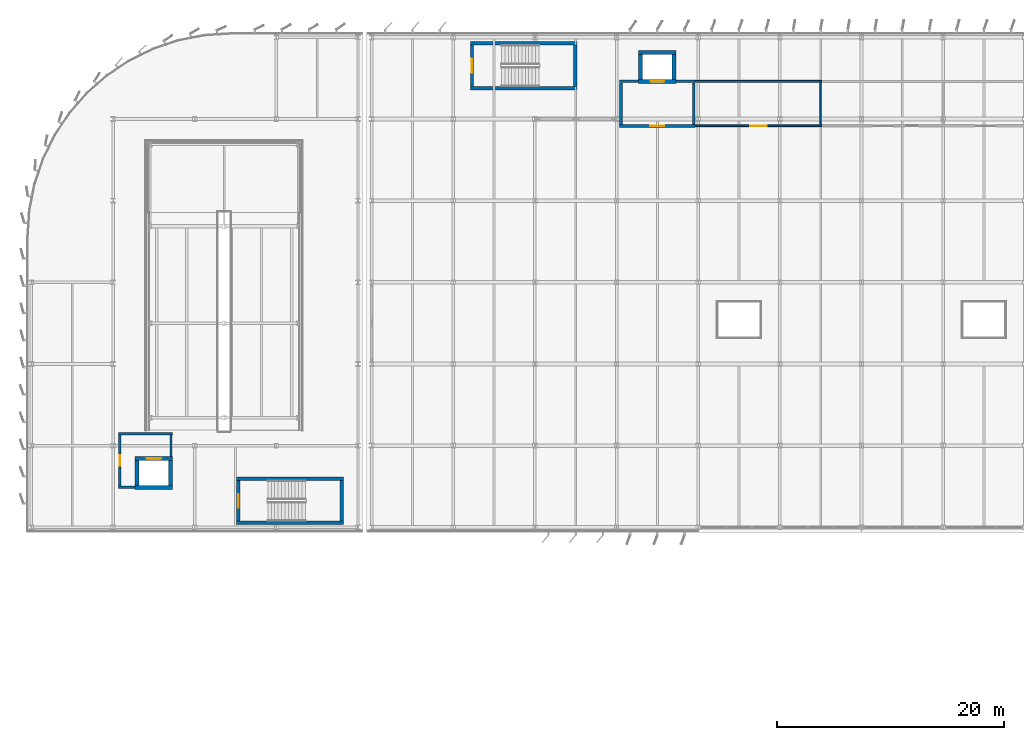
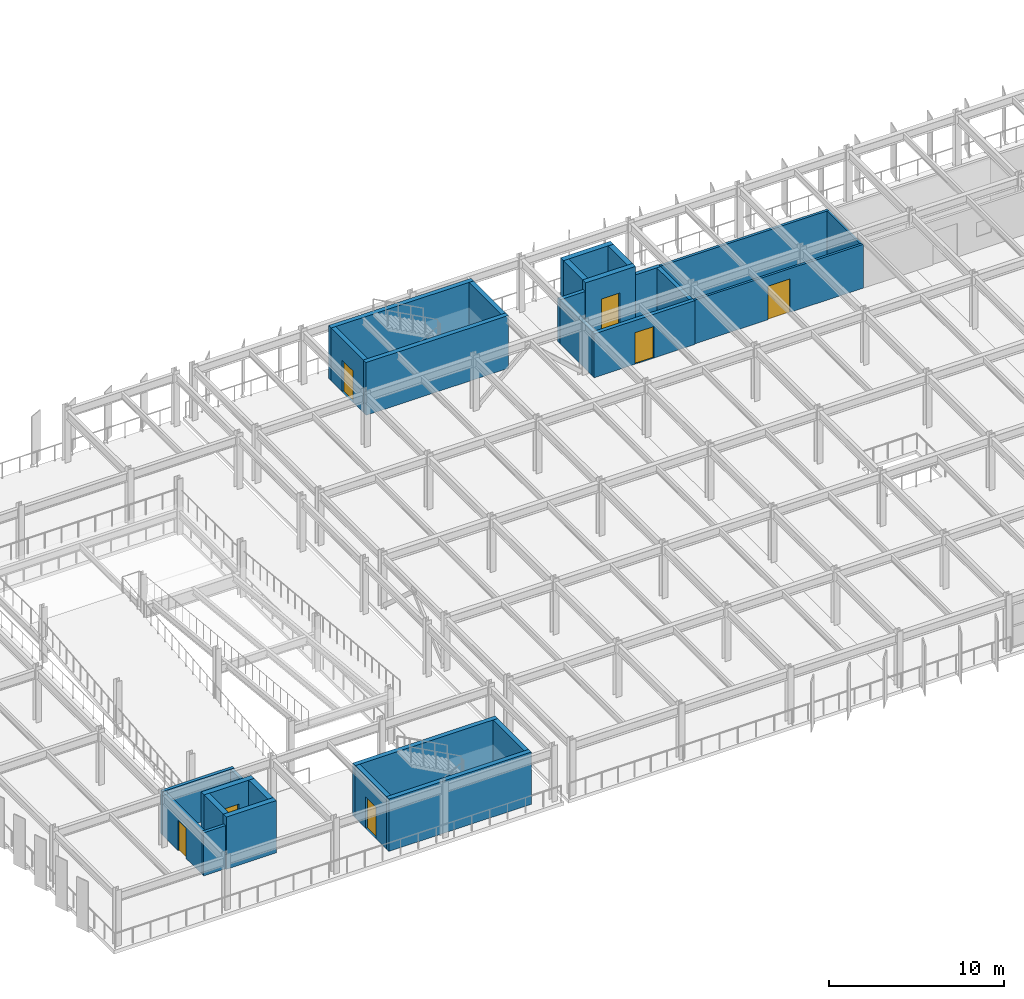
# One storey, part 52 of 80: 28 walls, 7 doors, 7 openings.
"""IFC4 building model written with IfcOpenShell, lengths in metres."""

from ifc_helpers import new_model, si_unit, direction, frame, frame_2d, origin, place, context, subcontext, project, spatial, rectangle, extrude, material, layer, layer_set, type_object, element, fill, save


model = new_model("IFC4")

# Units and contexts
model_context = context("Model", 3, precision=1e-05, world=origin(), true_north=direction((0.0, 1.0)))
body_context = subcontext(model_context, "Body", "Model", "MODEL_VIEW")
ifc_project = project(units=[si_unit("LENGTHUNIT", "METRE"), si_unit("AREAUNIT", "SQUARE_METRE"), si_unit("VOLUMEUNIT", "CUBIC_METRE"), si_unit("PLANEANGLEUNIT", "RADIAN"), si_unit("MASSUNIT", "GRAM", prefix="KILO")], contexts=[model_context])

# Site, building, storey
site_placement = place(None, origin())
site = spatial("IfcSite", under=ifc_project, at=site_placement, CompositionType="ELEMENT")
building_placement = place(site_placement, origin())
building = spatial("IfcBuilding", under=site, at=building_placement, Name="Vaelcorin Mobility Hub", CompositionType="ELEMENT")
storey_placement = place(building_placement, frame((0.0, 0.0, 9.300048828125)))
storey = spatial("IfcBuildingStorey", under=building, at=storey_placement, Name="L02", CompositionType="ELEMENT", Elevation=9.300048828125)

# Walls
ifc_material_1 = material(Name="Reinforced concrete f'c 45 MPa", Category="concrete")
ifc_layer_1 = layer(ifc_material_1, 0.300048828125)
ifc_layer_set_1 = layer_set([ifc_layer_1], Name="Reinforced concrete f'c 45 MPa")
wall_type_1 = type_object("IfcWallType", Name="WL-CORE-300", PredefinedType="SOLIDWALL", material=ifc_layer_set_1)
for number, where, z_axis, x_axis, name in (
    (1, (33.5, 77.199951171875, 0.0), (0.0, 0.0, 1.0), (-1.0, 0.0, 0.0), "ST1 Fire Core Wall L02 South"),
    (2, (24.10009765625, 81.06005859375, 0.0), (0.0, 0.0, 1.0), (1.0, 0.0, 0.0), "ST1 Fire Core Wall L02 North"),
):
    element("IfcWall", number, at=place(storey_placement, frame(where, z_axis=z_axis, x_axis=x_axis)), inside=storey, type_object=wall_type_1, Name=name, PredefinedType="SOLIDWALL", context=body_context, shape_type="SweptSolid", body=[
        extrude(rectangle(XDim=9.39990234375, YDim=0.300048828125, at=frame_2d((4.699951171875, 0.0))), origin(), (0.0, 0.0, 1.0), 3.64990234375),
    ])

# Wall, opening, door
wall_1_placement = place(storey_placement, frame((24.25, 77.35009765625, 0.0), z_axis=(0.0, 0.0, 1.0), x_axis=(0.0, 1.0, 0.0)))
wall_1 = element("IfcWall", 3, at=wall_1_placement, inside=storey, type_object=wall_type_1, Name="ST1 Fire Core Wall L02 West", PredefinedType="SOLIDWALL", context=body_context, shape_type="SweptSolid", body=[
    extrude(rectangle(XDim=3.559814453125, YDim=0.300048828125, at=frame_2d((1.77978515625, 0.0))), origin(), (0.0, 0.0, 1.0), 3.64990234375),
])
opening_1_placement = place(wall_1_placement, frame((1.179931640625, 0.0, 0.0)))
opening_1 = element("IfcOpeningElement", 4, at=opening_1_placement, cuts=wall_1, Name="Opening SD01", PredefinedType="OPENING", context=body_context, shape_type="SweptSolid", body=[
    extrude(rectangle(XDim=1.199951171875, YDim=2.199951171875, at=frame_2d((0.60009765625, 1.10009765625))), frame((0.0, 0.159912109375, 0.0), z_axis=(0.0, -1.0, 0.0), x_axis=(1.0, 0.0, 0.0)), (0.0, 0.0, 1.0), 0.320068359375),
])
ifc_material_2 = material(Name="Hollow-metal insulated steel fire door", Category="steel")
door_type_1 = type_object("IfcDoorType", Name="DR-STAIR-90", OperationType="NOTDEFINED", PredefinedType="DOOR", material=ifc_material_2)
door_1_placement = place(opening_1_placement, origin())
door_1 = element("IfcDoor", 5, at=door_1_placement, inside=storey, type_object=door_type_1, Name="ST1 Protected Stair Door L02", OperationType="SINGLE_SWING_LEFT", OverallHeight=2.199951171875, OverallWidth=1.199951171875, PredefinedType="DOOR", context=body_context, shape_type="SweptSolid", body=[
    extrude(rectangle(XDim=1.199951171875, YDim=2.199951171875, at=frame_2d((0.60009765625, 1.10009765625))), frame((0.0, 0.02490234375, 0.0), z_axis=(0.0, -1.0, 0.0), x_axis=(1.0, 0.0, 0.0)), (0.0, 0.0, 1.0), 0.050048828125),
])
fill(opening_1, door_1)

# Walls
wall_2_placement = place(storey_placement, frame((33.35009765625, 80.909912109375, 0.0), z_axis=(0.0, 0.0, 1.0), x_axis=(0.0, -1.0, 0.0)))
element("IfcWall", 6, at=wall_2_placement, inside=storey, type_object=wall_type_1, Name="ST1 Fire Core Wall L02 East", PredefinedType="SOLIDWALL", context=body_context, shape_type="SweptSolid", body=[
    extrude(rectangle(XDim=3.559814453125, YDim=0.300048828125, at=frame_2d((1.77978515625, 0.0))), origin(), (0.0, 0.0, 1.0), 3.64990234375),
])
for number, where, z_axis, x_axis, name in (
    (7, (54.10009765625, 115.5, 0.0), (0.0, 0.0, 1.0), (-1.0, 0.0, 0.0), "ST3 Fire Core Wall L02 South"),
    (8, (44.699951171875, 119.47998046875, 0.0), (0.0, 0.0, 1.0), (1.0, 0.0, 0.0), "ST3 Fire Core Wall L02 North"),
):
    element("IfcWall", number, at=place(storey_placement, frame(where, z_axis=z_axis, x_axis=x_axis)), inside=storey, type_object=wall_type_1, Name=name, PredefinedType="SOLIDWALL", context=body_context, shape_type="SweptSolid", body=[
        extrude(rectangle(XDim=9.400146484375, YDim=0.300048828125, at=frame_2d((4.7001953125, 0.0))), origin(), (0.0, 0.0, 1.0), 3.68994140625),
    ])

# Wall, opening, door
wall_3_placement = place(storey_placement, frame((44.85009765625, 115.64990234375, 0.0), z_axis=(0.0, 0.0, 1.0), x_axis=(0.0, 1.0, 0.0)))
wall_3 = element("IfcWall", 9, at=wall_3_placement, inside=storey, type_object=wall_type_1, Name="ST3 Fire Core Wall L02 West", PredefinedType="SOLIDWALL", context=body_context, shape_type="SweptSolid", body=[
    extrude(rectangle(XDim=3.68017578125, YDim=0.300048828125, at=frame_2d((1.840087890625, 0.0))), origin(), (0.0, 0.0, 1.0), 3.68994140625),
])
opening_2_placement = place(wall_3_placement, frame((1.215087890625, 0.0, 0.0)))
opening_2 = element("IfcOpeningElement", 10, at=opening_2_placement, cuts=wall_3, Name="Opening SD02", PredefinedType="OPENING", context=body_context, shape_type="SweptSolid", body=[
    extrude(rectangle(XDim=1.25, YDim=2.199951171875, at=frame_2d((0.625, 1.10009765625))), frame((0.0, 0.159912109375, 0.0), z_axis=(0.0, -1.0, 0.0), x_axis=(1.0, 0.0, 0.0)), (0.0, 0.0, 1.0), 0.320068359375),
])
door_type_2 = type_object("IfcDoorType", Name="DR-STAIR-FF", OperationType="NOTDEFINED", PredefinedType="DOOR", material=ifc_material_2)
door_2_placement = place(opening_2_placement, origin())
door_2 = element("IfcDoor", 11, at=door_2_placement, inside=storey, type_object=door_type_2, Name="ST3 Protected Stair Door L02", OperationType="SINGLE_SWING_LEFT", OverallHeight=2.199951171875, OverallWidth=1.25, PredefinedType="DOOR", context=body_context, shape_type="SweptSolid", body=[
    extrude(rectangle(XDim=1.25, YDim=2.199951171875, at=frame_2d((0.625, 1.10009765625))), frame((0.0, 0.02490234375, 0.0), z_axis=(0.0, -1.0, 0.0), x_axis=(1.0, 0.0, 0.0)), (0.0, 0.0, 1.0), 0.050048828125),
])
fill(opening_2, door_2)

# Walls
wall_4_placement = place(storey_placement, frame((53.949951171875, 119.330078125, 0.0), z_axis=(0.0, 0.0, 1.0), x_axis=(0.0, -1.0, 0.0)))
element("IfcWall", 12, at=wall_4_placement, inside=storey, type_object=wall_type_1, Name="ST3 Fire Core Wall L02 East", PredefinedType="SOLIDWALL", context=body_context, shape_type="SweptSolid", body=[
    extrude(rectangle(XDim=3.68017578125, YDim=0.300048828125, at=frame_2d((1.840087890625, 0.0))), origin(), (0.0, 0.0, 1.0), 3.68994140625),
])
ifc_material_3 = material(Name="Fire-rated acoustic steel-stud gypsum board", Category="steel")
ifc_layer_2 = layer(ifc_material_3, 0.125)
ifc_layer_set_2 = layer_set([ifc_layer_2], Name="Fire-rated acoustic steel-stud gypsum board")
wall_type_2 = type_object("IfcWallType", Name="WL-PART-125", PredefinedType="PARTITIONING", material=ifc_layer_set_2)
wall_5_placement = place(storey_placement, frame((75.60009765625, 116.033935546875, 0.0), z_axis=(0.0, 0.0, 1.0), x_axis=(0.0, -1.0, 0.0)))
element("IfcWall", 13, at=wall_5_placement, inside=storey, type_object=wall_type_2, Name="EV Charger Substation L02 Partition East", PredefinedType="PARTITIONING", context=body_context, shape_type="SweptSolid", body=[
    extrude(rectangle(XDim=3.751953125, YDim=0.125, at=frame_2d((1.8759765625, 0.0))), origin(), (0.0, 0.0, 1.0), 3.057861328125),
])

# Wall, opening, door
ifc_layer_3 = layer(ifc_material_3, 0.155029296875)
ifc_layer_set_3 = layer_set([ifc_layer_3], Name="Fire-rated acoustic steel-stud gypsum board")
wall_type_3 = type_object("IfcWallType", Name="WL-PART-155", PredefinedType="PARTITIONING", material=ifc_layer_set_3)
wall_6_placement = place(storey_placement, frame((75.679931640625, 112.199951171875, 0.0), z_axis=(0.0, 0.0, 1.0), x_axis=(-1.0, 0.0, 0.0)))
wall_6 = element("IfcWall", 14, at=wall_6_placement, inside=storey, type_object=wall_type_3, Name="EV Charger Substation L02 Partition South", PredefinedType="PARTITIONING", context=body_context, shape_type="SweptSolid", body=[
    extrude(rectangle(XDim=11.15283203125, YDim=0.155029296875, at=frame_2d((5.576416015625, 0.0))), origin(), (0.0, 0.0, 1.0), 3.057861328125),
])
opening_3_placement = place(wall_6_placement, frame((4.85205078125, 0.0, 0.0)))
opening_3 = element("IfcOpeningElement", 15, at=opening_3_placement, cuts=wall_6, Name="Opening ID47", PredefinedType="OPENING", context=body_context, shape_type="SweptSolid", body=[
    extrude(rectangle(XDim=1.449951171875, YDim=2.340087890625, at=frame_2d((0.72509765625, 1.169921875))), frame((0.0, 0.08740234375, 0.0), z_axis=(0.0, -1.0, 0.0), x_axis=(1.0, 0.0, 0.0)), (0.0, 0.0, 1.0), 0.175048828125),
])
door_type_3 = type_object("IfcDoorType", Name="DR-INT-47", OperationType="NOTDEFINED", PredefinedType="DOOR", material=ifc_material_2)
door_3_placement = place(opening_3_placement, origin())
door_3 = element("IfcDoor", 16, at=door_3_placement, inside=storey, type_object=door_type_3, Name="EV Charger Substation L02 Door", OperationType="SINGLE_SWING_LEFT", OverallHeight=2.340087890625, OverallWidth=1.449951171875, PredefinedType="DOOR", context=body_context, shape_type="SweptSolid", body=[
    extrude(rectangle(XDim=1.449951171875, YDim=2.340087890625, at=frame_2d((0.72509765625, 1.169921875))), frame((0.0, 0.02490234375, 0.0), z_axis=(0.0, -1.0, 0.0), x_axis=(1.0, 0.0, 0.0)), (0.0, 0.0, 1.0), 0.050048828125),
])
fill(opening_3, door_3)

# Walls
ifc_layer_4 = layer(ifc_material_3, 0.169921875)
ifc_layer_set_4 = layer_set([ifc_layer_4], Name="Fire-rated acoustic steel-stud gypsum board")
wall_type_4 = type_object("IfcWallType", Name="WL-PART-170", PredefinedType="PARTITIONING", material=ifc_layer_set_4)
wall_7_placement = place(storey_placement, frame((64.527099609375, 116.125, 0.0), z_axis=(0.0, 0.0, 1.0), x_axis=(1.0, 0.0, 0.0)))
element("IfcWall", 17, at=wall_7_placement, inside=storey, type_object=wall_type_4, Name="EV Charger Substation L02 Partition North", PredefinedType="PARTITIONING", context=body_context, shape_type="SweptSolid", body=[
    extrude(rectangle(XDim=11.15283203125, YDim=0.169921875, at=frame_2d((5.576416015625, 0.0))), origin(), (0.0, 0.0, 1.0), 3.057861328125),
])
ifc_material_4 = material(Name="Reinforced acoustic concrete masonry C30/37", Category="masonry")
ifc_layer_5 = layer(ifc_material_4, 0.205078125)
ifc_layer_set_5 = layer_set([ifc_layer_5], Name="Reinforced acoustic concrete masonry C30/37")
wall_type_5 = type_object("IfcWallType", Name="WL-PART-205", PredefinedType="PARTITIONING", material=ifc_layer_set_5)
wall_8_placement = place(storey_placement, frame((13.697998046875, 85.050048828125, 0.0), z_axis=(0.0, 0.0, 1.0), x_axis=(1.0, 0.0, 0.0)))
element("IfcWall", 18, at=wall_8_placement, inside=storey, type_object=wall_type_5, Name="West Drum Lift Lobby L02 Partition North", PredefinedType="PARTITIONING", context=body_context, shape_type="SweptSolid", body=[
    extrude(rectangle(XDim=4.751953125, YDim=0.205078125, at=frame_2d((2.3759765625, 0.0))), origin(), (0.0, 0.0, 1.0), 3.01806640625),
])
wall_9_placement = place(storey_placement, frame((15.14794921875, 80.324951171875, 0.0), z_axis=(0.0, 0.0, 1.0), x_axis=(-1.0, 0.0, 0.0)))
element("IfcWall", 19, at=wall_9_placement, inside=storey, type_object=wall_type_5, Name="West Drum Lift Lobby L02 Return Wall South", PredefinedType="PARTITIONING", context=body_context, shape_type="SweptSolid", body=[
    extrude(rectangle(XDim=1.449951171875, YDim=0.205078125, at=frame_2d((0.72509765625, 0.0))), origin(), (0.0, 0.0, 1.0), 3.01806640625),
])

# Wall, opening, door
wall_10_placement = place(storey_placement, frame((13.800048828125, 80.429931640625, 0.0), z_axis=(0.0, 0.0, 1.0), x_axis=(0.0, 1.0, 0.0)))
wall_10 = element("IfcWall", 20, at=wall_10_placement, inside=storey, type_object=wall_type_5, Name="West Drum Lift Lobby L02 Partition West", PredefinedType="PARTITIONING", context=body_context, shape_type="SweptSolid", body=[
    extrude(rectangle(XDim=4.51611328125, YDim=0.205078125, at=frame_2d((2.258056640625, 0.0))), origin(), (0.0, 0.0, 1.0), 3.01806640625),
])
opening_4_placement = place(wall_10_placement, frame((1.7880859375, 0.0, 0.0)))
opening_4 = element("IfcOpeningElement", 21, at=opening_4_placement, cuts=wall_10, Name="Opening ID02", PredefinedType="OPENING", context=body_context, shape_type="SweptSolid", body=[
    extrude(rectangle(XDim=0.93994140625, YDim=2.10009765625, at=frame_2d((0.469970703125, 1.050048828125))), frame((0.0, 0.112548828125, 0.0), z_axis=(0.0, -1.0, 0.0), x_axis=(1.0, 0.0, 0.0)), (0.0, 0.0, 1.0), 0.22509765625),
])
ifc_material_5 = material(Name="Solid-core hardwood fire door assembly", Category="wood")
door_type_4 = type_object("IfcDoorType", Name="DR-INT-02", OperationType="NOTDEFINED", PredefinedType="DOOR", material=ifc_material_5)
door_4_placement = place(opening_4_placement, origin())
door_4 = element("IfcDoor", 22, at=door_4_placement, inside=storey, type_object=door_type_4, Name="West Drum Lift Lobby L02 Door", OperationType="SINGLE_SWING_RIGHT", OverallHeight=2.10009765625, OverallWidth=0.93994140625, PredefinedType="DOOR", context=body_context, shape_type="SweptSolid", body=[
    extrude(rectangle(XDim=0.93994140625, YDim=2.10009765625, at=frame_2d((0.469970703125, 1.050048828125))), frame((0.0, 0.02490234375, 0.0), z_axis=(0.0, -1.0, 0.0), x_axis=(1.0, 0.0, 0.0)), (0.0, 0.0, 1.0), 0.050048828125),
])
fill(opening_4, door_4)

# Wall
wall_11_placement = place(storey_placement, frame((18.300048828125, 84.946044921875, 0.0), z_axis=(0.0, 0.0, 1.0), x_axis=(0.0, -1.0, 0.0)))
element("IfcWall", 23, at=wall_11_placement, inside=storey, type_object=wall_type_5, Name="West Drum Lift Lobby L02 Return Wall East", PredefinedType="PARTITIONING", context=body_context, shape_type="SweptSolid", body=[
    extrude(rectangle(XDim=1.89404296875, YDim=0.205078125, at=frame_2d((0.947021484375, 0.0))), origin(), (0.0, 0.0, 1.0), 3.01806640625),
])

# Wall, opening, door
ifc_layer_6 = layer(ifc_material_4, 0.25)
ifc_layer_set_6 = layer_set([ifc_layer_6], Name="Reinforced acoustic concrete masonry C30/37")
wall_type_6 = type_object("IfcWallType", Name="WL-PART-250", PredefinedType="PARTITIONING", material=ifc_layer_set_6)
wall_12_placement = place(storey_placement, frame((64.52490234375, 112.199951171875, 0.0), z_axis=(0.0, 0.0, 1.0), x_axis=(-1.0, 0.0, 0.0)))
wall_12 = element("IfcWall", 24, at=wall_12_placement, inside=storey, type_object=wall_type_6, Name="Firefighting Lobby West L02 Partition South", PredefinedType="PARTITIONING", context=body_context, shape_type="SweptSolid", body=[
    extrude(rectangle(XDim=6.64990234375, YDim=0.25, at=frame_2d((3.324951171875, 0.0))), origin(), (0.0, 0.0, 1.0), 3.057861328125),
])
opening_5_placement = place(wall_12_placement, frame((2.699951171875, 0.0, 0.0)))
opening_5 = element("IfcOpeningElement", 25, at=opening_5_placement, cuts=wall_12, Name="Opening SD02", PredefinedType="OPENING", context=body_context, shape_type="SweptSolid", body=[
    extrude(rectangle(XDim=1.25, YDim=2.199951171875, at=frame_2d((0.625, 1.10009765625))), frame((0.0, 0.135009765625, 0.0), z_axis=(0.0, -1.0, 0.0), x_axis=(1.0, 0.0, 0.0)), (0.0, 0.0, 1.0), 0.27001953125),
])
door_5_placement = place(opening_5_placement, origin())
door_5 = element("IfcDoor", 26, at=door_5_placement, inside=storey, type_object=door_type_2, Name="Firefighting Lobby West L02 Door", OperationType="SINGLE_SWING_RIGHT", OverallHeight=2.199951171875, OverallWidth=1.25, PredefinedType="DOOR", context=body_context, shape_type="SweptSolid", body=[
    extrude(rectangle(XDim=1.25, YDim=2.199951171875, at=frame_2d((0.625, 1.10009765625))), frame((0.0, 0.02490234375, 0.0), z_axis=(0.0, -1.0, 0.0), x_axis=(1.0, 0.0, 0.0)), (0.0, 0.0, 1.0), 0.050048828125),
])
fill(opening_5, door_5)

# Walls
wall_13_placement = place(storey_placement, frame((57.875, 116.125, 0.0), z_axis=(0.0, 0.0, 1.0), x_axis=(1.0, 0.0, 0.0)))
element("IfcWall", 27, at=wall_13_placement, inside=storey, type_object=wall_type_6, Name="Firefighting Lobby West L02 Return Wall NW", PredefinedType="PARTITIONING", context=body_context, shape_type="SweptSolid", body=[
    extrude(rectangle(XDim=1.673095703125, YDim=0.25, at=frame_2d((0.83642578125, 0.0))), origin(), (0.0, 0.0, 1.0), 3.057861328125),
])
wall_14_placement = place(storey_placement, frame((62.85205078125, 116.125, 0.0), z_axis=(0.0, 0.0, 1.0), x_axis=(1.0, 0.0, 0.0)))
element("IfcWall", 28, at=wall_14_placement, inside=storey, type_object=wall_type_6, Name="Firefighting Lobby West L02 Return Wall NE", PredefinedType="PARTITIONING", context=body_context, shape_type="SweptSolid", body=[
    extrude(rectangle(XDim=1.6728515625, YDim=0.25, at=frame_2d((0.83642578125, 0.0))), origin(), (0.0, 0.0, 1.0), 3.057861328125),
])
for number, where, z_axis, x_axis, name in (
    (29, (58.0, 112.326904296875, 0.0), (0.0, 0.0, 1.0), (0.0, 1.0, 0.0), "Firefighting Lobby West L02 Partition West"),
    (30, (64.39990234375, 115.998046875, 0.0), (0.0, 0.0, 1.0), (0.0, -1.0, 0.0), "Firefighting Lobby West L02 Partition East"),
):
    element("IfcWall", number, at=place(storey_placement, frame(where, z_axis=z_axis, x_axis=x_axis)), inside=storey, type_object=wall_type_6, Name=name, PredefinedType="PARTITIONING", context=body_context, shape_type="SweptSolid", body=[
        extrude(rectangle(XDim=3.671142578125, YDim=0.25, at=frame_2d((1.83544921875, 0.0))), origin(), (0.0, 0.0, 1.0), 3.057861328125),
    ])

# Wall, opening, door
ifc_layer_7 = layer(ifc_material_1, 0.35009765625)
ifc_layer_set_7 = layer_set([ifc_layer_7], Name="Reinforced concrete f'c 45 MPa")
wall_type_7 = type_object("IfcWallType", Name="WL-SHEAR-350", PredefinedType="SHEAR", material=ifc_layer_set_7)
wall_15_placement = place(storey_placement, frame((62.85009765625, 116.125, 0.0), z_axis=(0.0, 0.0, 1.0), x_axis=(-1.0, 0.0, 0.0)))
wall_15 = element("IfcWall", 31, at=wall_15_placement, inside=storey, type_object=wall_type_7, Name="LF1 Lift Shaft Shear Wall L02 South", PredefinedType="SHEAR", context=body_context, shape_type="SweptSolid", body=[
    extrude(rectangle(XDim=3.300048828125, YDim=0.35009765625, at=frame_2d((1.64990234375, 0.0))), origin(), (0.0, 0.0, 1.0), 3.68994140625),
])
opening_6_placement = place(wall_15_placement, frame((1.050048828125, 0.0, 0.0)))
opening_6 = element("IfcOpeningElement", 32, at=opening_6_placement, cuts=wall_15, Name="Opening LD1", PredefinedType="OPENING", context=body_context, shape_type="SweptSolid", body=[
    extrude(rectangle(XDim=1.199951171875, YDim=2.199951171875, at=frame_2d((0.60009765625, 1.10009765625))), frame((0.0, 0.18505859375, 0.0), z_axis=(0.0, -1.0, 0.0), x_axis=(1.0, 0.0, 0.0)), (0.0, 0.0, 1.0), 0.3701171875),
])
ifc_material_6 = material(Name="Brushed stainless steel 316L", Category="steel")
door_type_5 = type_object("IfcDoorType", Name="DR-LIFT-LD1", OperationType="NOTDEFINED", PredefinedType="DOOR", material=ifc_material_6)
door_6_placement = place(opening_6_placement, origin())
door_6 = element("IfcDoor", 33, at=door_6_placement, inside=storey, type_object=door_type_5, Name="LF1 Lift Landing Sliding Door L02", OperationType="DOUBLE_DOOR_SLIDING", OverallHeight=2.199951171875, OverallWidth=1.199951171875, PredefinedType="DOOR", context=body_context, shape_type="SweptSolid", body=[
    extrude(rectangle(XDim=1.199951171875, YDim=2.199951171875, at=frame_2d((0.60009765625, 1.10009765625))), frame((0.0, 0.02490234375, 0.0), z_axis=(0.0, -1.0, 0.0), x_axis=(1.0, 0.0, 0.0)), (0.0, 0.0, 1.0), 0.050048828125),
])
fill(opening_6, door_6)

# Walls
wall_16_placement = place(storey_placement, frame((59.550048828125, 118.675048828125, 0.0), z_axis=(0.0, 0.0, 1.0), x_axis=(1.0, 0.0, 0.0)))
element("IfcWall", 34, at=wall_16_placement, inside=storey, type_object=wall_type_7, Name="LF1 Lift Shaft Shear Wall L02 North", PredefinedType="SHEAR", context=body_context, shape_type="SweptSolid", body=[
    extrude(rectangle(XDim=3.300048828125, YDim=0.35009765625, at=frame_2d((1.64990234375, 0.0))), origin(), (0.0, 0.0, 1.0), 3.68994140625),
])
for number, where, z_axis, x_axis, name in (
    (35, (59.72509765625, 116.300048828125, 0.0), (0.0, 0.0, 1.0), (0.0, 1.0, 0.0), "LF1 Lift Shaft Shear Wall L02 West"),
    (36, (62.675048828125, 118.5, 0.0), (0.0, 0.0, 1.0), (0.0, -1.0, 0.0), "LF1 Lift Shaft Shear Wall L02 East"),
):
    element("IfcWall", number, at=place(storey_placement, frame(where, z_axis=z_axis, x_axis=x_axis)), inside=storey, type_object=wall_type_7, Name=name, PredefinedType="SHEAR", context=body_context, shape_type="SweptSolid", body=[
        extrude(rectangle(XDim=2.199951171875, YDim=0.35009765625, at=frame_2d((1.10009765625, 0.0))), origin(), (0.0, 0.0, 1.0), 3.68994140625),
    ])
wall_17_placement = place(storey_placement, frame((18.449951171875, 80.324951171875, 0.0), z_axis=(0.0, 0.0, 1.0), x_axis=(-1.0, 0.0, 0.0)))
element("IfcWall", 37, at=wall_17_placement, inside=storey, type_object=wall_type_7, Name="LF4 Lift Shaft Shear Wall L02 South", PredefinedType="SHEAR", context=body_context, shape_type="SweptSolid", body=[
    extrude(rectangle(XDim=3.300048828125, YDim=0.35009765625, at=frame_2d((1.64990234375, 0.0))), origin(), (0.0, 0.0, 1.0), 3.64990234375),
])

# Wall, opening, door
wall_18_placement = place(storey_placement, frame((15.14990234375, 82.875, 0.0), z_axis=(0.0, 0.0, 1.0), x_axis=(1.0, 0.0, 0.0)))
wall_18 = element("IfcWall", 38, at=wall_18_placement, inside=storey, type_object=wall_type_7, Name="LF4 Lift Shaft Shear Wall L02 North", PredefinedType="SHEAR", context=body_context, shape_type="SweptSolid", body=[
    extrude(rectangle(XDim=3.300048828125, YDim=0.35009765625, at=frame_2d((1.64990234375, 0.0))), origin(), (0.0, 0.0, 1.0), 3.64990234375),
])
opening_7_placement = place(wall_18_placement, frame((1.0, 0.0, 0.0)))
opening_7 = element("IfcOpeningElement", 39, at=opening_7_placement, cuts=wall_18, Name="Opening LD2", PredefinedType="OPENING", context=body_context, shape_type="SweptSolid", body=[
    extrude(rectangle(XDim=1.300048828125, YDim=2.199951171875, at=frame_2d((0.64990234375, 1.10009765625))), frame((0.0, 0.18505859375, 0.0), z_axis=(0.0, -1.0, 0.0), x_axis=(1.0, 0.0, 0.0)), (0.0, 0.0, 1.0), 0.3701171875),
])
door_type_6 = type_object("IfcDoorType", Name="DR-LIFT-LD2", OperationType="NOTDEFINED", PredefinedType="DOOR", material=ifc_material_6)
door_7_placement = place(opening_7_placement, origin())
door_7 = element("IfcDoor", 40, at=door_7_placement, inside=storey, type_object=door_type_6, Name="LF4 Lift Landing Sliding Door L02", OperationType="DOUBLE_DOOR_SLIDING", OverallHeight=2.199951171875, OverallWidth=1.300048828125, PredefinedType="DOOR", context=body_context, shape_type="SweptSolid", body=[
    extrude(rectangle(XDim=1.300048828125, YDim=2.199951171875, at=frame_2d((0.64990234375, 1.10009765625))), frame((0.0, 0.02490234375, 0.0), z_axis=(0.0, -1.0, 0.0), x_axis=(1.0, 0.0, 0.0)), (0.0, 0.0, 1.0), 0.050048828125),
])
fill(opening_7, door_7)

# Walls
for number, where, z_axis, x_axis, name in (
    (41, (15.324951171875, 80.5, 0.0), (0.0, 0.0, 1.0), (0.0, 1.0, 0.0), "LF4 Lift Shaft Shear Wall L02 West"),
    (42, (18.27490234375, 82.699951171875, 0.0), (0.0, 0.0, 1.0), (0.0, -1.0, 0.0), "LF4 Lift Shaft Shear Wall L02 East"),
):
    element("IfcWall", number, at=place(storey_placement, frame(where, z_axis=z_axis, x_axis=x_axis)), inside=storey, type_object=wall_type_7, Name=name, PredefinedType="SHEAR", context=body_context, shape_type="SweptSolid", body=[
        extrude(rectangle(XDim=2.199951171875, YDim=0.35009765625, at=frame_2d((1.10009765625, 0.0))), origin(), (0.0, 0.0, 1.0), 3.64990234375),
    ])

save(model, "model.ifc")
